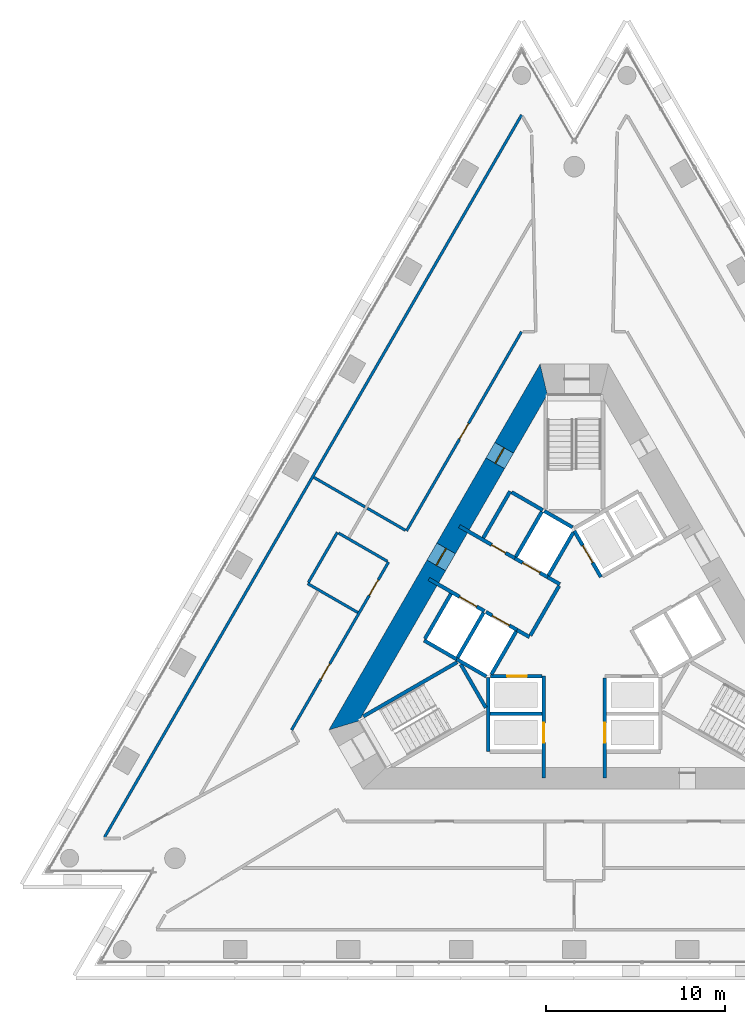
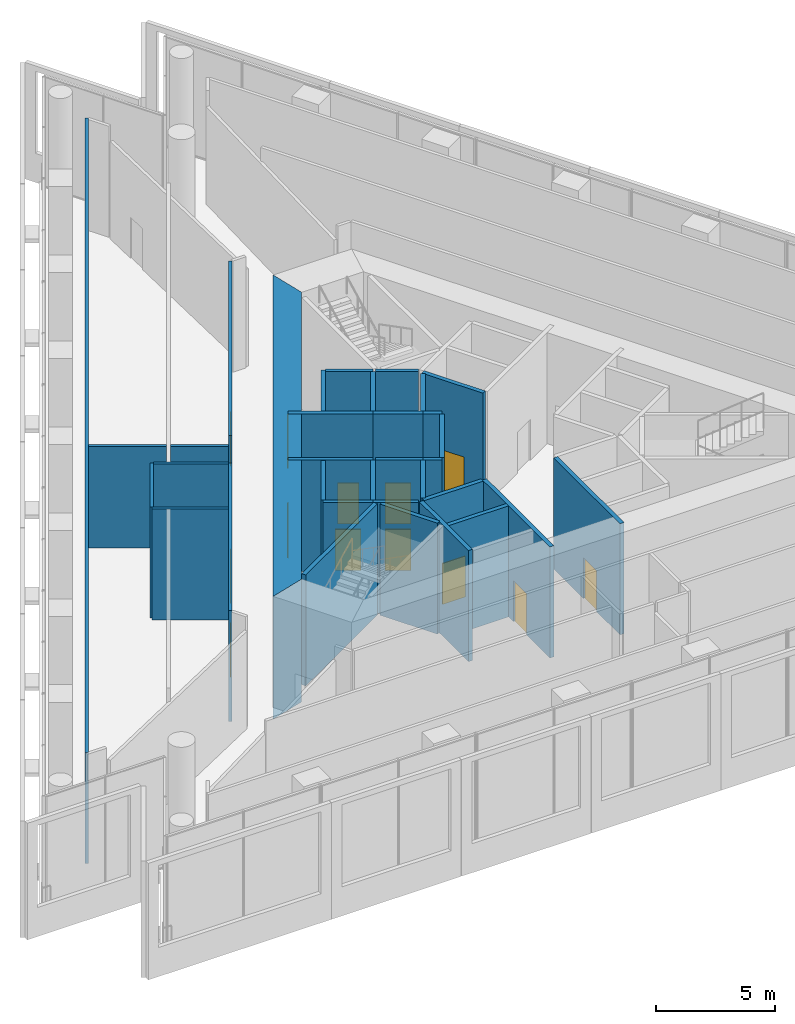
# One storey, part 11 of 18: 34 walls, 13 doors, 13 openings.
"""IFC4 building model written with IfcOpenShell, lengths in metres."""

from ifc_helpers import new_model, si_unit, direction, frame, frame_2d, origin, place, context, subcontext, project, spatial, polyline, rectangle, outline, extrude, material, layer, layer_set, type_object, element, fill, save


model = new_model("IFC4")

# Units and contexts
model_context = context("Model", 3, precision=1e-05, world=origin(), true_north=direction((0.0, 1.0)))
body_context = subcontext(model_context, "Body", "Model", "MODEL_VIEW")
ifc_project = project(units=[si_unit("LENGTHUNIT", "METRE"), si_unit("AREAUNIT", "SQUARE_METRE"), si_unit("VOLUMEUNIT", "CUBIC_METRE"), si_unit("PLANEANGLEUNIT", "RADIAN"), si_unit("MASSUNIT", "GRAM", prefix="KILO")], contexts=[model_context])

# Site, building, storey
site_placement = place(None, origin())
site = spatial("IfcSite", under=ifc_project, at=site_placement, CompositionType="ELEMENT")
building_placement = place(site_placement, origin())
building = spatial("IfcBuilding", under=site, at=building_placement, Name="Triada Interchange Tower", CompositionType="ELEMENT")
storey_placement = place(building_placement, frame((0.0, 0.0, 185.300048828125)))
storey = spatial("IfcBuildingStorey", under=building, at=storey_placement, Name="L43", CompositionType="ELEMENT", Elevation=185.300048828125)

# Walls
ifc_material_1 = material(Name="Concrete C30/37", Category="concrete")
ifc_layer_1 = layer(ifc_material_1, 0.199951171875)
ifc_layer_set_1 = layer_set([ifc_layer_1], Name="CORE WALL 200 EI 120")
wall_type_1 = type_object("IfcWallType", Name="CORE WALL 200 EI 120", PredefinedType="SOLIDWALL", material=ifc_layer_set_1)
wall_1_placement = place(storey_placement, frame((-8.3759765625, -0.70703125, 0.0), z_axis=(0.0, 0.0, 1.0), x_axis=(0.866067520717, -0.499927044236, 0.0)))
element("IfcWall", 1, at=wall_1_placement, inside=storey, type_object=wall_type_1, Name="Wall L43 44", PredefinedType="SOLIDWALL", context=body_context, shape_type="SweptSolid", body=[
    extrude(rectangle(XDim=2.100341796875, YDim=0.199951171875, at=frame_2d((1.05029296875, 0.0))), origin(), (0.0, 0.0, 1.0), 5.699951171875),
])
wall_2_placement = place(storey_placement, frame((-8.325927734375, -0.6201171875, 0.0), z_axis=(0.0, 0.0, 1.0), x_axis=(0.500023687443, 0.866011727401, 0.0)))
element("IfcWall", 2, at=wall_2_placement, inside=storey, type_object=wall_type_1, Name="Wall L43 45", PredefinedType="SOLIDWALL", context=body_context, shape_type="SweptSolid", body=[
    extrude(rectangle(XDim=2.899658203125, YDim=0.199951171875, at=frame_2d((1.44970703125, 0.0))), origin(), (0.0, 0.0, 1.0), 5.699951171875),
])
wall_3_placement = place(storey_placement, frame((-4.699951171875, -4.800048828125, 0.0), z_axis=(0.0, 0.0, 1.0), x_axis=(1.0, 0.0, 0.0)))
element("IfcWall", 3, at=wall_3_placement, inside=storey, type_object=wall_type_1, Name="Wall L43 46", PredefinedType="SOLIDWALL", context=body_context, shape_type="SweptSolid", body=[
    extrude(rectangle(XDim=2.89990234375, YDim=0.199951171875, at=frame_2d((1.449951171875, 0.0))), origin(), (0.0, 0.0, 1.0), 5.699951171875),
])
wall_4_placement = place(storey_placement, frame((-4.800048828125, -6.89990234375, 0.0), z_axis=(0.0, 0.0, 1.0), x_axis=(0.0, 1.0, 0.0)))
element("IfcWall", 4, at=wall_4_placement, inside=storey, type_object=wall_type_1, Name="Wall L43 48", PredefinedType="SOLIDWALL", context=body_context, shape_type="SweptSolid", body=[
    extrude(rectangle(XDim=4.130859375, YDim=0.199951171875, at=frame_2d((2.0654296875, 0.0))), origin(), (0.0, 0.0, 1.0), 5.699951171875),
])

# Wall, opening, door
wall_5_placement = place(storey_placement, frame((-1.699951171875, -8.3798828125, 0.0), z_axis=(0.0, 0.0, 1.0), x_axis=(0.0, 1.0, 0.0)))
wall_5 = element("IfcWall", 5, at=wall_5_placement, inside=storey, type_object=wall_type_1, Name="Wall L43 51", PredefinedType="SOLIDWALL", context=body_context, shape_type="SweptSolid", body=[
    extrude(rectangle(XDim=5.677001953125, YDim=0.199951171875, at=frame_2d((2.83837890625, 0.0))), origin(), (0.0, 0.0, 1.0), 5.699951171875),
])
opening_1_placement = place(wall_5_placement, frame((1.97998046875, 0.0, 0.0)))
opening_1 = element("IfcOpeningElement", 6, at=opening_1_placement, cuts=wall_5, Name="Opening LD-HR4", PredefinedType="OPENING", context=body_context, shape_type="SweptSolid", body=[
    extrude(rectangle(XDim=1.10009765625, YDim=2.10009765625, at=frame_2d((0.550048828125, 1.050048828125))), frame((0.0, 0.10986328125, 0.0), z_axis=(0.0, -1.0, 0.0), x_axis=(1.0, 0.0, 0.0)), (0.0, 0.0, 1.0), 0.219970703125),
])
ifc_material_2 = material(Name="Steel S235 door leaf", Category="steel")
door_type_1 = type_object("IfcDoorType", Name="LIFT LANDING DOOR 1100 EI 120", OperationType="SLIDING_TO_LEFT", PredefinedType="DOOR", material=ifc_material_2)
door_1_placement = place(opening_1_placement, origin())
door_1 = element("IfcDoor", 7, at=door_1_placement, inside=storey, type_object=door_type_1, Name="HR4 landing door L43", OperationType="SLIDING_TO_LEFT", OverallHeight=2.10009765625, OverallWidth=1.10009765625, PredefinedType="DOOR", context=body_context, shape_type="SweptSolid", body=[
    extrude(rectangle(XDim=1.10009765625, YDim=2.10009765625, at=frame_2d((0.550048828125, 1.050048828125))), frame((0.0, 0.02490234375, 0.0), z_axis=(0.0, -1.0, 0.0), x_axis=(1.0, 0.0, 0.0)), (0.0, 0.0, 1.0), 0.050048828125),
])
fill(opening_1, door_1)

wall_6_placement = place(storey_placement, frame((-4.676025390625, -2.699951171875, 0.0), z_axis=(0.0, 0.0, 1.0), x_axis=(1.0, 0.0, 0.0)))
wall_6 = element("IfcWall", 8, at=wall_6_placement, inside=storey, type_object=wall_type_1, Name="Wall L43 52", PredefinedType="SOLIDWALL", context=body_context, shape_type="SweptSolid", body=[
    extrude(rectangle(XDim=2.873046875, YDim=0.199951171875, at=frame_2d((1.4365234375, 0.0))), origin(), (0.0, 0.0, 1.0), 5.699951171875),
])
opening_2_placement = place(wall_6_placement, frame((0.93701171875, 0.0, 0.0)))
opening_2 = element("IfcOpeningElement", 9, at=opening_2_placement, cuts=wall_6, Name="Opening LD-HR3", PredefinedType="OPENING", context=body_context, shape_type="SweptSolid", body=[
    extrude(rectangle(XDim=1.10009765625, YDim=2.10009765625, at=frame_2d((0.550048828125, 1.050048828125))), frame((0.0, 0.10986328125, 0.0), z_axis=(0.0, -1.0, 0.0), x_axis=(1.0, 0.0, 0.0)), (0.0, 0.0, 1.0), 0.219970703125),
])
door_2_placement = place(opening_2_placement, origin())
door_2 = element("IfcDoor", 10, at=door_2_placement, inside=storey, type_object=door_type_1, Name="HR3 landing door L43", OperationType="SLIDING_TO_LEFT", OverallHeight=2.10009765625, OverallWidth=1.10009765625, PredefinedType="DOOR", context=body_context, shape_type="SweptSolid", body=[
    extrude(rectangle(XDim=1.10009765625, YDim=2.10009765625, at=frame_2d((0.550048828125, 1.050048828125))), frame((0.0, 0.02490234375, 0.0), z_axis=(0.0, -1.0, 0.0), x_axis=(1.0, 0.0, 0.0)), (0.0, 0.0, 1.0), 0.050048828125),
])
fill(opening_2, door_2)

wall_7_placement = place(storey_placement, frame((0.0, 5.39990234375, 0.0), z_axis=(0.0, 0.0, 1.0), x_axis=(0.500103862429, -0.865965430478, 0.0)))
wall_7 = element("IfcWall", 11, at=wall_7_placement, inside=storey, type_object=wall_type_1, Name="Wall L43 55", PredefinedType="SOLIDWALL", context=body_context, shape_type="SweptSolid", body=[
    extrude(rectangle(XDim=2.973388671875, YDim=0.199951171875, at=frame_2d((1.48681640625, 0.0))), origin(), (0.0, 0.0, 1.0), 5.699951171875),
])
opening_3_placement = place(wall_7_placement, frame((0.93701171875, 0.0, 0.0)))
opening_3 = element("IfcOpeningElement", 12, at=opening_3_placement, cuts=wall_7, Name="Opening LD-HR5", PredefinedType="OPENING", context=body_context, shape_type="SweptSolid", body=[
    extrude(rectangle(XDim=1.10009765625, YDim=2.10009765625, at=frame_2d((0.550048828125, 1.050048828125))), frame((0.0, 0.10986328125, 0.0), z_axis=(0.0, -1.0, 0.0), x_axis=(1.0, 0.0, 0.0)), (0.0, 0.0, 1.0), 0.219970703125),
])
door_3_placement = place(opening_3_placement, origin())
door_3 = element("IfcDoor", 13, at=door_3_placement, inside=storey, type_object=door_type_1, Name="HR5 landing door L43", OperationType="SLIDING_TO_LEFT", OverallHeight=2.10009765625, OverallWidth=1.10009765625, PredefinedType="DOOR", context=body_context, shape_type="SweptSolid", body=[
    extrude(rectangle(XDim=1.10009765625, YDim=2.10009765625, at=frame_2d((0.550048828125, 1.050048828125))), frame((0.0, 0.02490234375, 0.0), z_axis=(0.0, -1.0, 0.0), x_axis=(1.0, 0.0, 0.0)), (0.0, 0.0, 1.0), 0.050048828125),
])
fill(opening_3, door_3)

wall_8_placement = place(storey_placement, frame((1.699951171875, -8.3798828125, 0.0), z_axis=(0.0, 0.0, 1.0), x_axis=(0.0, 1.0, 0.0)))
wall_8 = element("IfcWall", 14, at=wall_8_placement, inside=storey, type_object=wall_type_1, Name="Wall L43 58", PredefinedType="SOLIDWALL", context=body_context, shape_type="SweptSolid", body=[
    extrude(rectangle(XDim=5.576904296875, YDim=0.199951171875, at=frame_2d((2.78857421875, 0.0))), origin(), (0.0, 0.0, 1.0), 5.699951171875),
])
opening_4_placement = place(wall_8_placement, frame((1.97998046875, 0.0, 0.0)))
opening_4 = element("IfcOpeningElement", 15, at=opening_4_placement, cuts=wall_8, Name="Opening LD-HR2", PredefinedType="OPENING", context=body_context, shape_type="SweptSolid", body=[
    extrude(rectangle(XDim=1.10009765625, YDim=2.10009765625, at=frame_2d((0.550048828125, 1.050048828125))), frame((0.0, 0.10986328125, 0.0), z_axis=(0.0, -1.0, 0.0), x_axis=(1.0, 0.0, 0.0)), (0.0, 0.0, 1.0), 0.219970703125),
])
door_4_placement = place(opening_4_placement, origin())
door_4 = element("IfcDoor", 16, at=door_4_placement, inside=storey, type_object=door_type_1, Name="HR2 landing door L43", OperationType="SLIDING_TO_LEFT", OverallHeight=2.10009765625, OverallWidth=1.10009765625, PredefinedType="DOOR", context=body_context, shape_type="SweptSolid", body=[
    extrude(rectangle(XDim=1.10009765625, YDim=2.10009765625, at=frame_2d((0.550048828125, 1.050048828125))), frame((0.0, 0.02490234375, 0.0), z_axis=(0.0, -1.0, 0.0), x_axis=(1.0, 0.0, 0.0)), (0.0, 0.0, 1.0), 0.050048828125),
])
fill(opening_4, door_4)

ifc_layer_2 = layer(ifc_material_1, 0.199951171875)
ifc_layer_set_2 = layer_set([ifc_layer_2], Name="CORE WALL 200 EI 180")
wall_type_2 = type_object("IfcWallType", Name="CORE WALL 200 EI 180", PredefinedType="SOLIDWALL", material=ifc_layer_set_2)
wall_9_placement = place(storey_placement, frame((-8.10693359375, 2.718017578125, 0.0), z_axis=(0.0, 0.0, 1.0), x_axis=(0.866019870564, -0.500009583697, 0.0)))
wall_9 = element("IfcWall", 17, at=wall_9_placement, inside=storey, type_object=wall_type_2, Name="Wall L43 66", PredefinedType="SOLIDWALL", context=body_context, shape_type="SweptSolid", body=[
    extrude(rectangle(XDim=3.58203125, YDim=0.199951171875, at=frame_2d((1.791015625, 0.0))), origin(), (0.0, 0.0, 1.0), 5.699951171875),
])
opening_5_placement = place(wall_9_placement, frame((1.97998046875, 0.0, 0.0)))
opening_5 = element("IfcOpeningElement", 18, at=opening_5_placement, cuts=wall_9, Name="Opening LD-SV1", PredefinedType="OPENING", context=body_context, shape_type="SweptSolid", body=[
    extrude(rectangle(XDim=1.10009765625, YDim=2.10009765625, at=frame_2d((0.550048828125, 1.050048828125))), frame((0.0, 0.10986328125, 0.0), z_axis=(0.0, -1.0, 0.0), x_axis=(1.0, 0.0, 0.0)), (0.0, 0.0, 1.0), 0.219970703125),
])
door_5_placement = place(opening_5_placement, origin())
door_5 = element("IfcDoor", 19, at=door_5_placement, inside=storey, type_object=door_type_1, Name="SV1 landing door L43", OperationType="SLIDING_TO_LEFT", OverallHeight=2.10009765625, OverallWidth=1.10009765625, PredefinedType="DOOR", context=body_context, shape_type="SweptSolid", body=[
    extrude(rectangle(XDim=1.10009765625, YDim=2.10009765625, at=frame_2d((0.550048828125, 1.050048828125))), frame((0.0, 0.02490234375, 0.0), z_axis=(0.0, -1.0, 0.0), x_axis=(1.0, 0.0, 0.0)), (0.0, 0.0, 1.0), 0.050048828125),
])
fill(opening_5, door_5)

# Wall
wall_10_placement = place(storey_placement, frame((-3.18798828125, -0.1220703125, 0.0), z_axis=(0.0, 0.0, 1.0), x_axis=(0.865705793592, -0.50055317294, 0.0)))
element("IfcWall", 20, at=wall_10_placement, inside=storey, type_object=wall_type_2, Name="Wall L43 67", PredefinedType="SOLIDWALL", context=body_context, shape_type="SweptSolid", body=[
    extrude(rectangle(XDim=0.796875, YDim=0.199951171875, at=frame_2d((0.3984375, 0.0))), origin(), (0.0, 0.0, 1.0), 5.699951171875),
])

# Wall, opening, door
wall_11_placement = place(storey_placement, frame((-6.406982421875, 5.662109375, 0.0), z_axis=(0.0, 0.0, 1.0), x_axis=(0.866019870564, -0.500009583697, 0.0)))
wall_11 = element("IfcWall", 21, at=wall_11_placement, inside=storey, type_object=wall_type_2, Name="Wall L43 68", PredefinedType="SOLIDWALL", context=body_context, shape_type="SweptSolid", body=[
    extrude(rectangle(XDim=3.58203125, YDim=0.199951171875, at=frame_2d((1.791015625, 0.0))), origin(), (0.0, 0.0, 1.0), 5.699951171875),
])
opening_6_placement = place(wall_11_placement, frame((2.080078125, 0.0, 0.0)))
opening_6 = element("IfcOpeningElement", 22, at=opening_6_placement, cuts=wall_11, Name="Opening D43-12", PredefinedType="OPENING", context=body_context, shape_type="SweptSolid", body=[
    extrude(rectangle(XDim=0.89990234375, YDim=2.10009765625, at=frame_2d((0.449951171875, 1.050048828125))), frame((0.0, 0.10986328125, 0.0), z_axis=(0.0, -1.0, 0.0), x_axis=(1.0, 0.0, 0.0)), (0.0, 0.0, 1.0), 0.219970703125),
])
door_type_2 = type_object("IfcDoorType", Name="SERVICE DOOR 900 EI2 90-C5S200", OperationType="NOTDEFINED", PredefinedType="DOOR", material=ifc_material_2)
door_6_placement = place(opening_6_placement, origin())
door_6 = element("IfcDoor", 23, at=door_6_placement, inside=storey, type_object=door_type_2, Name="Door D43-12 L43", OperationType="SINGLE_SWING_LEFT", OverallHeight=2.10009765625, OverallWidth=0.89990234375, PredefinedType="DOOR", context=body_context, shape_type="SweptSolid", body=[
    extrude(rectangle(XDim=0.89990234375, YDim=2.10009765625, at=frame_2d((0.449951171875, 1.050048828125))), frame((0.0, 0.02490234375, 0.0), z_axis=(0.0, -1.0, 0.0), x_axis=(1.0, 0.0, 0.0)), (0.0, 0.0, 1.0), 0.050048828125),
])
fill(opening_6, door_6)

# Walls
wall_12_placement = place(storey_placement, frame((-1.488037109375, 2.822021484375, 0.0), z_axis=(0.0, 0.0, 1.0), x_axis=(0.866236612152, -0.499633997809, 0.0)))
element("IfcWall", 24, at=wall_12_placement, inside=storey, type_object=wall_type_2, Name="Wall L43 69", PredefinedType="SOLIDWALL", context=body_context, shape_type="SweptSolid", body=[
    extrude(rectangle(XDim=0.79638671875, YDim=0.199951171875, at=frame_2d((0.398193359375, 0.0))), origin(), (0.0, 0.0, 1.0), 5.699951171875),
])
wall_13_placement = place(storey_placement, frame((-5.075927734375, 5.009033203125, 0.0), z_axis=(0.0, 0.0, 1.0), x_axis=(0.50002537861, 0.866010750942, 0.0)))
element("IfcWall", 25, at=wall_13_placement, inside=storey, type_object=wall_type_2, Name="Wall L43 70", PredefinedType="SOLIDWALL", context=body_context, shape_type="SweptSolid", body=[
    extrude(rectangle(XDim=2.999755859375, YDim=0.199951171875, at=frame_2d((1.5, 0.0))), origin(), (0.0, 0.0, 1.0), 5.699951171875),
])
wall_14_placement = place(storey_placement, frame((-3.489013671875, 7.556884765625, 0.0), z_axis=(0.0, 0.0, 1.0), x_axis=(0.866010750942, -0.50002537861, 0.0)))
element("IfcWall", 26, at=wall_14_placement, inside=storey, type_object=wall_type_2, Name="Wall L43 71", PredefinedType="SOLIDWALL", context=body_context, shape_type="SweptSolid", body=[
    extrude(rectangle(XDim=2.0, YDim=0.199951171875, at=frame_2d((1.0, 0.0))), origin(), (0.0, 0.0, 1.0), 5.699951171875),
])
wall_15_placement = place(storey_placement, frame((-2.444091796875, -0.43310546875, 0.0), z_axis=(0.0, 0.0, 1.0), x_axis=(0.500035624827, 0.866004834804, 0.0)))
element("IfcWall", 27, at=wall_15_placement, inside=storey, type_object=wall_type_2, Name="Wall L43 72", PredefinedType="SOLIDWALL", context=body_context, shape_type="SweptSolid", body=[
    extrude(rectangle(XDim=3.194091796875, YDim=0.199951171875, at=frame_2d((1.59716796875, 0.0))), origin(), (0.0, 0.0, 1.0), 5.699951171875),
])
wall_16_placement = place(storey_placement, frame((-6.556884765625, -1.757080078125, 0.0), z_axis=(0.0, 0.0, 1.0), x_axis=(0.8659754619, -0.500086491905, 0.0)))
element("IfcWall", 28, at=wall_16_placement, inside=storey, type_object=wall_type_2, Name="Shaft wall FF1 L43 73", PredefinedType="SOLIDWALL", context=body_context, shape_type="SweptSolid", body=[
    extrude(rectangle(XDim=1.915771484375, YDim=0.199951171875, at=frame_2d((0.9580078125, 0.0))), origin(), (0.0, 0.0, 1.0), 5.699951171875),
])
wall_17_placement = place(storey_placement, frame((-6.507080078125, -1.669921875, 0.0), z_axis=(0.0, 0.0, 1.0), x_axis=(0.50012328804, 0.865954211699, 0.0)))
element("IfcWall", 29, at=wall_17_placement, inside=storey, type_object=wall_type_2, Name="Shaft wall FF1 L43 74", PredefinedType="SOLIDWALL", context=body_context, shape_type="SweptSolid", body=[
    extrude(rectangle(XDim=2.899658203125, YDim=0.199951171875, at=frame_2d((1.44970703125, 0.0))), origin(), (0.0, 0.0, 1.0), 5.699951171875),
])

# Wall, opening, door
wall_18_placement = place(storey_placement, frame((-4.919921875, 0.8779296875, 0.0), z_axis=(0.0, 0.0, 1.0), x_axis=(0.866010750942, -0.50002537861, 0.0)))
wall_18 = element("IfcWall", 30, at=wall_18_placement, inside=storey, type_object=wall_type_2, Name="Shaft wall FF1 L43 75", PredefinedType="SOLIDWALL", context=body_context, shape_type="SweptSolid", body=[
    extrude(rectangle(XDim=2.0, YDim=0.199951171875, at=frame_2d((1.0, 0.0))), origin(), (0.0, 0.0, 1.0), 5.699951171875),
])
opening_7_placement = place(wall_18_placement, frame((0.39990234375, 0.0, 0.0)))
opening_7 = element("IfcOpeningElement", 31, at=opening_7_placement, cuts=wall_18, Name="Opening LD-FF1", PredefinedType="OPENING", context=body_context, shape_type="SweptSolid", body=[
    extrude(rectangle(XDim=1.10009765625, YDim=2.10009765625, at=frame_2d((0.550048828125, 1.050048828125))), frame((0.0, 0.10986328125, 0.0), z_axis=(0.0, -1.0, 0.0), x_axis=(1.0, 0.0, 0.0)), (0.0, 0.0, 1.0), 0.219970703125),
])
door_7_placement = place(opening_7_placement, origin())
door_7 = element("IfcDoor", 32, at=door_7_placement, inside=storey, type_object=door_type_1, Name="FF1 landing door L43", OperationType="SLIDING_TO_LEFT", OverallHeight=2.10009765625, OverallWidth=1.10009765625, PredefinedType="DOOR", context=body_context, shape_type="SweptSolid", body=[
    extrude(rectangle(XDim=1.10009765625, YDim=2.10009765625, at=frame_2d((0.550048828125, 1.050048828125))), frame((0.0, 0.02490234375, 0.0), z_axis=(0.0, -1.0, 0.0), x_axis=(1.0, 0.0, 0.0)), (0.0, 0.0, 1.0), 0.050048828125),
])
fill(opening_7, door_7)

# Wall
wall_19_placement = place(storey_placement, frame((-4.618896484375, -2.60009765625, 0.0), z_axis=(0.0, 0.0, 1.0), x_axis=(0.50009492287, 0.865970593103, 0.0)))
element("IfcWall", 33, at=wall_19_placement, inside=storey, type_object=wall_type_2, Name="Shaft wall FF1 L43 76", PredefinedType="SOLIDWALL", context=body_context, shape_type="SweptSolid", body=[
    extrude(rectangle(XDim=2.76123046875, YDim=0.199951171875, at=frame_2d((1.380615234375, 0.0))), origin(), (0.0, 0.0, 1.0), 5.699951171875),
])

# Wall, opening, door
wall_20_placement = place(storey_placement, frame((-3.30908203125, 3.873046875, 0.0), z_axis=(0.0, 0.0, 1.0), x_axis=(0.866098583652, -0.499873227325, 0.0)))
wall_20 = element("IfcWall", 34, at=wall_20_placement, inside=storey, type_object=wall_type_2, Name="Shaft wall FF2 L43 77", PredefinedType="SOLIDWALL", context=body_context, shape_type="SweptSolid", body=[
    extrude(rectangle(XDim=2.1025390625, YDim=0.199951171875, at=frame_2d((1.05126953125, 0.0))), origin(), (0.0, 0.0, 1.0), 5.699951171875),
])
opening_8_placement = place(wall_20_placement, frame((0.501953125, 0.0, 0.0)))
opening_8 = element("IfcOpeningElement", 35, at=opening_8_placement, cuts=wall_20, Name="Opening LD-FF2", PredefinedType="OPENING", context=body_context, shape_type="SweptSolid", body=[
    extrude(rectangle(XDim=1.10009765625, YDim=2.10009765625, at=frame_2d((0.550048828125, 1.050048828125))), frame((0.0, 0.10986328125, 0.0), z_axis=(0.0, -1.0, 0.0), x_axis=(1.0, 0.0, 0.0)), (0.0, 0.0, 1.0), 0.219970703125),
])
door_8_placement = place(opening_8_placement, origin())
door_8 = element("IfcDoor", 36, at=door_8_placement, inside=storey, type_object=door_type_1, Name="FF2 landing door L43", OperationType="SLIDING_TO_LEFT", OverallHeight=2.10009765625, OverallWidth=1.10009765625, PredefinedType="DOOR", context=body_context, shape_type="SweptSolid", body=[
    extrude(rectangle(XDim=1.10009765625, YDim=2.10009765625, at=frame_2d((0.550048828125, 1.050048828125))), frame((0.0, 0.02490234375, 0.0), z_axis=(0.0, -1.0, 0.0), x_axis=(1.0, 0.0, 0.0)), (0.0, 0.0, 1.0), 0.050048828125),
])
fill(opening_8, door_8)

# Walls
wall_21_placement = place(storey_placement, frame((-3.257080078125, 3.958984375, 0.0), z_axis=(0.0, 0.0, 1.0), x_axis=(0.50012328804, 0.865954211699, 0.0)))
element("IfcWall", 37, at=wall_21_placement, inside=storey, type_object=wall_type_2, Name="Shaft wall FF2 L43 78", PredefinedType="SOLIDWALL", context=body_context, shape_type="SweptSolid", body=[
    extrude(rectangle(XDim=2.899658203125, YDim=0.199951171875, at=frame_2d((1.44970703125, 0.0))), origin(), (0.0, 0.0, 1.0), 5.699951171875),
])
wall_22_placement = place(storey_placement, frame((-1.669921875, 6.507080078125, 0.0), z_axis=(0.0, 0.0, 1.0), x_axis=(0.865941441609, -0.500145398563, 0.0)))
element("IfcWall", 38, at=wall_22_placement, inside=storey, type_object=wall_type_2, Name="Shaft wall FF2 L43 79", PredefinedType="SOLIDWALL", context=body_context, shape_type="SweptSolid", body=[
    extrude(rectangle(XDim=1.8154296875, YDim=0.199951171875, at=frame_2d((0.90771484375, 0.0))), origin(), (0.0, 0.0, 1.0), 5.699951171875),
])
wall_23_placement = place(storey_placement, frame((-1.43798828125, 2.908935546875, 0.0), z_axis=(0.0, 0.0, 1.0), x_axis=(0.499829630636, 0.866123744241, 0.0)))
element("IfcWall", 39, at=wall_23_placement, inside=storey, type_object=wall_type_2, Name="Shaft wall FF2 L43 80", PredefinedType="SOLIDWALL", context=body_context, shape_type="SweptSolid", body=[
    extrude(rectangle(XDim=2.7607421875, YDim=0.199951171875, at=frame_2d((1.38037109375, 0.0))), origin(), (0.0, 0.0, 1.0), 5.699951171875),
])
ifc_layer_3 = layer(ifc_material_1, 0.199951171875)
ifc_layer_set_3 = layer_set([ifc_layer_3], Name="CORE WALL 200 REI 240")
wall_type_3 = type_object("IfcWallType", Name="CORE WALL 200 REI 240", PredefinedType="SOLIDWALL", material=ifc_layer_set_3)
wall_24_placement = place(storey_placement, frame((-11.760009765625, -4.94189453125, 0.0), z_axis=(0.0, 0.0, 1.0), x_axis=(0.866048276411, 0.499960381356, 0.0)))
element("IfcWall", 40, at=wall_24_placement, inside=storey, type_object=wall_type_3, Name="Wall L43 81", PredefinedType="SOLIDWALL", context=body_context, shape_type="SweptSolid", body=[
    extrude(rectangle(XDim=6.0400390625, YDim=0.199951171875, at=frame_2d((3.02001953125, 0.0))), origin(), (0.0, 0.0, 1.0), 5.699951171875),
])
wall_25_placement = place(storey_placement, frame((-6.3291015625, -2.0380859375, 0.0), z_axis=(0.0, 0.0, 1.0), x_axis=(0.500200581029, -0.865909567298, 0.0)))
element("IfcWall", 41, at=wall_25_placement, inside=storey, type_object=wall_type_3, Name="Wall L43 82", PredefinedType="SOLIDWALL", context=body_context, shape_type="SweptSolid", body=[
    extrude(rectangle(XDim=2.799072265625, YDim=0.199951171875, at=frame_2d((1.3994140625, 0.0))), origin(), (0.0, 0.0, 1.0), 5.699951171875),
])

# Wall, openings, doors
ifc_material_3 = material(Name="Concrete C60/75", Category="concrete")
ifc_layer_4 = layer(ifc_material_3, 1.199951171875)
ifc_layer_set_4 = layer_set([ifc_layer_4], Name="Core wall B 1200")
wall_type_4 = type_object("IfcWallType", Name="Core wall B 1200", PredefinedType="SHEAR", material=ifc_layer_set_4)
wall_26_placement = place(storey_placement, frame((-1.702880859375, 13.85009765625, -0.60009765625), z_axis=(0.0, 0.0, 1.0), x_axis=(-0.500005991004, -0.866021944849, 0.0)))
wall_26 = element("IfcWall", 42, at=wall_26_placement, inside=storey, type_object=wall_type_4, Name="Core wall WB08 L43", PredefinedType="SHEAR", context=body_context, shape_type="SweptSolid", body=[
    extrude(outline(polyline([(-0.635009765625, -0.60009765625), (1.327880859375, -0.60009765625), (3.291015625, -0.60009765625), (5.25390625, -0.60009765625), (7.217041015625, -0.60009765625), (9.179931640625, -0.60009765625), (11.14306640625, -0.60009765625), (13.10595703125, -0.60009765625), (15.06884765625, -0.60009765625), (17.031982421875, -0.60009765625), (18.994873046875, -0.60009765625), (20.9580078125, -0.60009765625), (22.9208984375, -0.60009765625), (21.65087890625, 0.60009765625), (19.740234375, 0.60009765625), (17.829833984375, 0.60009765625), (15.919189453125, 0.60009765625), (14.0087890625, 0.60009765625), (12.09814453125, 0.60009765625), (10.187744140625, 0.60009765625), (8.277099609375, 0.60009765625), (6.36669921875, 0.60009765625), (4.4560546875, 0.60009765625), (2.545654296875, 0.60009765625), (0.635009765625, 0.60009765625), (-0.635009765625, -0.60009765625)])), origin(), (0.0, 0.0, 1.0), 6.300048828125),
])
opening_9_placement = place(wall_26_placement, frame((10.881103515625, 0.0, 0.60009765625)))
opening_9 = element("IfcOpeningElement", 43, at=opening_9_placement, cuts=wall_26, Name="Opening D43-29", PredefinedType="OPENING", context=body_context, shape_type="SweptSolid", body=[
    extrude(rectangle(XDim=1.10009765625, YDim=2.10009765625, at=frame_2d((0.550048828125, 1.050048828125))), frame((0.0, 0.610107421875, 0.0), z_axis=(0.0, -1.0, 0.0), x_axis=(1.0, 0.0, 0.0)), (0.0, 0.0, 1.0), 1.22021484375),
])
opening_10_placement = place(wall_26_placement, frame((4.406982421875, 0.0, 0.60009765625)))
opening_10 = element("IfcOpeningElement", 44, at=opening_10_placement, cuts=wall_26, Name="Opening D43-31", PredefinedType="OPENING", context=body_context, shape_type="SweptSolid", body=[
    extrude(rectangle(XDim=1.0, YDim=2.10009765625, at=frame_2d((0.5, 1.050048828125))), frame((0.0, 0.610107421875, 0.0), z_axis=(0.0, -1.0, 0.0), x_axis=(1.0, 0.0, 0.0)), (0.0, 0.0, 1.0), 1.22021484375),
])
door_type_3 = type_object("IfcDoorType", Name="FIRE LOBBY DOOR 1100 EI2 90-C5S200", OperationType="NOTDEFINED", PredefinedType="DOOR", material=ifc_material_2)
door_9_placement = place(opening_9_placement, origin())
door_9 = element("IfcDoor", 45, at=door_9_placement, inside=storey, type_object=door_type_3, Name="Door D43-29 L43", OperationType="SINGLE_SWING_LEFT", OverallHeight=2.10009765625, OverallWidth=1.10009765625, PredefinedType="DOOR", context=body_context, shape_type="SweptSolid", body=[
    extrude(rectangle(XDim=1.10009765625, YDim=2.10009765625, at=frame_2d((0.550048828125, 1.050048828125))), frame((0.0, 0.02490234375, 0.0), z_axis=(0.0, -1.0, 0.0), x_axis=(1.0, 0.0, 0.0)), (0.0, 0.0, 1.0), 0.050048828125),
])
fill(opening_9, door_9)
door_type_4 = type_object("IfcDoorType", Name="SERVICE DOOR 1000 EI2 45-C5S200", OperationType="NOTDEFINED", PredefinedType="DOOR", material=ifc_material_2)
door_10_placement = place(opening_10_placement, origin())
door_10 = element("IfcDoor", 46, at=door_10_placement, inside=storey, type_object=door_type_4, Name="Door D43-31 L43", OperationType="SINGLE_SWING_LEFT", OverallHeight=2.10009765625, OverallWidth=1.0, PredefinedType="DOOR", context=body_context, shape_type="SweptSolid", body=[
    extrude(rectangle(XDim=1.0, YDim=2.10009765625, at=frame_2d((0.5, 1.050048828125))), frame((0.0, 0.02490234375, 0.0), z_axis=(0.0, -1.0, 0.0), x_axis=(1.0, 0.0, 0.0)), (0.0, 0.0, 1.0), 0.050048828125),
])
fill(opening_10, door_10)

# Walls
ifc_material_4 = material(Name="Gypsum board partition")
ifc_layer_5 = layer(ifc_material_4, 0.14990234375)
ifc_layer_set_5 = layer_set([ifc_layer_5], Name="PARTITION 150")
wall_type_5 = type_object("IfcWallType", Name="PARTITION 150", PredefinedType="PARTITIONING", material=ifc_layer_set_5)
wall_27_placement = place(storey_placement, frame((-14.861083984375, 2.4599609375, 0.0), z_axis=(0.0, 0.0, 1.0), x_axis=(0.866087259513, -0.499892847427, 0.0)))
element("IfcWall", 47, at=wall_27_placement, inside=storey, type_object=wall_type_5, Name="Wall L43 35", PredefinedType="PARTITIONING", context=body_context, shape_type="SweptSolid", body=[
    extrude(rectangle(XDim=3.224853515625, YDim=0.14990234375, at=frame_2d((1.6123046875, 0.0))), origin(), (0.0, 0.0, 1.0), 5.699951171875),
])
wall_28_placement = place(storey_placement, frame((-14.822998046875, 2.52490234375, 0.0), z_axis=(0.0, 0.0, 1.0), x_axis=(0.499860071841, 0.866106176273, 0.0)))
element("IfcWall", 48, at=wall_28_placement, inside=storey, type_object=wall_type_5, Name="Wall L43 36", PredefinedType="PARTITIONING", context=body_context, shape_type="SweptSolid", body=[
    extrude(rectangle(XDim=3.22509765625, YDim=0.14990234375, at=frame_2d((1.612548828125, 0.0))), origin(), (0.0, 0.0, 1.0), 5.699951171875),
])

# Wall, openings, doors
ifc_layer_6 = layer(ifc_material_4, 0.14990234375)
ifc_layer_set_6 = layer_set([ifc_layer_6], Name="PARTITION 150 EI 90")
wall_type_6 = type_object("IfcWallType", Name="PARTITION 150 EI 90", PredefinedType="PARTITIONING", material=ifc_layer_set_6)
wall_29_placement = place(storey_placement, frame((-15.761962890625, -5.699951171875, 0.0), z_axis=(0.0, 0.0, 1.0), x_axis=(0.500025268852, 0.866010814314, 0.0)))
wall_29 = element("IfcWall", 49, at=wall_29_placement, inside=storey, type_object=wall_type_6, Name="Wall L43 17", PredefinedType="PARTITIONING", context=body_context, shape_type="SweptSolid", body=[
    extrude(rectangle(XDim=10.8173828125, YDim=0.14990234375, at=frame_2d((5.40869140625, 0.0))), origin(), (0.0, 0.0, 1.0), 5.699951171875),
])
opening_11_placement = place(wall_29_placement, frame((8.6669921875, 0.0, 0.0)))
opening_11 = element("IfcOpeningElement", 50, at=opening_11_placement, cuts=wall_29, Name="Opening D43-14", PredefinedType="OPENING", context=body_context, shape_type="SweptSolid", body=[
    extrude(rectangle(XDim=1.0, YDim=2.10009765625, at=frame_2d((0.5, 1.050048828125))), frame((0.0, 0.0849609375, 0.0), z_axis=(0.0, -1.0, 0.0), x_axis=(1.0, 0.0, 0.0)), (0.0, 0.0, 1.0), 0.169921875),
])
opening_12_placement = place(wall_29_placement, frame((3.259033203125, 0.0, 0.0)))
opening_12 = element("IfcOpeningElement", 51, at=opening_12_placement, cuts=wall_29, Name="Opening D43-22", PredefinedType="OPENING", context=body_context, shape_type="SweptSolid", body=[
    extrude(rectangle(XDim=1.0, YDim=2.10009765625, at=frame_2d((0.5, 1.050048828125))), frame((0.0, 0.0849609375, 0.0), z_axis=(0.0, -1.0, 0.0), x_axis=(1.0, 0.0, 0.0)), (0.0, 0.0, 1.0), 0.169921875),
])
door_type_5 = type_object("IfcDoorType", Name="ROOM DOOR 1000 EI2 45-C5S200", OperationType="NOTDEFINED", PredefinedType="DOOR", material=ifc_material_2)
door_11_placement = place(opening_11_placement, origin())
door_11 = element("IfcDoor", 52, at=door_11_placement, inside=storey, type_object=door_type_5, Name="Door D43-14 L43", OperationType="SINGLE_SWING_LEFT", OverallHeight=2.10009765625, OverallWidth=1.0, PredefinedType="DOOR", context=body_context, shape_type="SweptSolid", body=[
    extrude(rectangle(XDim=1.0, YDim=2.10009765625, at=frame_2d((0.5, 1.050048828125))), frame((0.0, 0.02490234375, 0.0), z_axis=(0.0, -1.0, 0.0), x_axis=(1.0, 0.0, 0.0)), (0.0, 0.0, 1.0), 0.050048828125),
])
fill(opening_11, door_11)
door_type_6 = type_object("IfcDoorType", Name="ROOM DOOR 1000 EI2 90-C5S200", OperationType="NOTDEFINED", PredefinedType="DOOR", material=ifc_material_2)
door_12_placement = place(opening_12_placement, origin())
door_12 = element("IfcDoor", 53, at=door_12_placement, inside=storey, type_object=door_type_6, Name="Door D43-22 L43", OperationType="SINGLE_SWING_LEFT", OverallHeight=2.10009765625, OverallWidth=1.0, PredefinedType="DOOR", context=body_context, shape_type="SweptSolid", body=[
    extrude(rectangle(XDim=1.0, YDim=2.10009765625, at=frame_2d((0.5, 1.050048828125))), frame((0.0, 0.02490234375, 0.0), z_axis=(0.0, -1.0, 0.0), x_axis=(1.0, 0.0, 0.0)), (0.0, 0.0, 1.0), 0.050048828125),
])
fill(opening_12, door_12)

# Wall, opening, door
wall_30_placement = place(storey_placement, frame((-9.35302734375, 5.39990234375, 0.0), z_axis=(0.0, 0.0, 1.0), x_axis=(0.500017037849, 0.866015566754, 0.0)))
wall_30 = element("IfcWall", 54, at=wall_30_placement, inside=storey, type_object=wall_type_6, Name="Wall L43 18", PredefinedType="PARTITIONING", context=body_context, shape_type="SweptSolid", body=[
    extrude(rectangle(XDim=12.8173828125, YDim=0.14990234375, at=frame_2d((6.40869140625, 0.0))), origin(), (0.0, 0.0, 1.0), 5.699951171875),
])
opening_13_placement = place(wall_30_placement, frame((5.908935546875, 0.0, 0.0)))
opening_13 = element("IfcOpeningElement", 55, at=opening_13_placement, cuts=wall_30, Name="Opening D43-21", PredefinedType="OPENING", context=body_context, shape_type="SweptSolid", body=[
    extrude(rectangle(XDim=1.0, YDim=2.10009765625, at=frame_2d((0.5, 1.050048828125))), frame((0.0, 0.0849609375, 0.0), z_axis=(0.0, -1.0, 0.0), x_axis=(1.0, 0.0, 0.0)), (0.0, 0.0, 1.0), 0.169921875),
])
door_13_placement = place(opening_13_placement, origin())
door_13 = element("IfcDoor", 56, at=door_13_placement, inside=storey, type_object=door_type_5, Name="Door D43-21 L43", OperationType="SINGLE_SWING_RIGHT", OverallHeight=2.10009765625, OverallWidth=1.0, PredefinedType="DOOR", context=body_context, shape_type="SweptSolid", body=[
    extrude(rectangle(XDim=1.0, YDim=2.10009765625, at=frame_2d((0.5, 1.050048828125))), frame((0.0, 0.02490234375, 0.0), z_axis=(0.0, -1.0, 0.0), x_axis=(1.0, 0.0, 0.0)), (0.0, 0.0, 1.0), 0.050048828125),
])
fill(opening_13, door_13)

# Walls
wall_31_placement = place(storey_placement, frame((-26.18994140625, -11.678955078125, 0.0), z_axis=(0.0, 0.0, 1.0), x_axis=(0.500012382508, 0.866018254622, 0.0)))
element("IfcWall", 57, at=wall_31_placement, inside=storey, type_object=wall_type_6, Name="Wall L43 25", PredefinedType="PARTITIONING", context=body_context, shape_type="SweptSolid", body=[
    extrude(rectangle(XDim=46.504638671875, YDim=0.14990234375, at=frame_2d((23.25244140625, 0.0))), origin(), (0.0, 0.0, 1.0), 5.699951171875),
])
wall_32_placement = place(storey_placement, frame((-14.52001953125, 8.383056640625, 0.0), z_axis=(0.0, 0.0, 1.0), x_axis=(0.865960739811, -0.500111984565, 0.0)))
element("IfcWall", 58, at=wall_32_placement, inside=storey, type_object=wall_type_6, Name="Wall L43 33", PredefinedType="PARTITIONING", context=body_context, shape_type="SweptSolid", body=[
    extrude(rectangle(XDim=3.291259765625, YDim=0.14990234375, at=frame_2d((1.6455078125, 0.0))), origin(), (0.0, 0.0, 1.0), 5.199951171875),
])
wall_33_placement = place(storey_placement, frame((-11.5400390625, 6.662109375, 0.0), z_axis=(0.0, 0.0, 1.0), x_axis=(0.8660395779, -0.499975448907, 0.0)))
element("IfcWall", 59, at=wall_33_placement, inside=storey, type_object=wall_type_6, Name="Wall L43 34", PredefinedType="PARTITIONING", context=body_context, shape_type="SweptSolid", body=[
    extrude(rectangle(XDim=2.4501953125, YDim=0.14990234375, at=frame_2d((1.22509765625, 0.0))), origin(), (0.0, 0.0, 1.0), 5.199951171875),
])
wall_34_placement = place(storey_placement, frame((-13.14599609375, 5.280029296875, 0.0), z_axis=(0.0, 0.0, 1.0), x_axis=(0.866035871367, -0.499981869177, 0.0)))
element("IfcWall", 60, at=wall_34_placement, inside=storey, type_object=wall_type_6, Name="Wall L43 37", PredefinedType="PARTITIONING", context=body_context, shape_type="SweptSolid", body=[
    extrude(rectangle(XDim=3.14990234375, YDim=0.14990234375, at=frame_2d((1.574951171875, 0.0))), origin(), (0.0, 0.0, 1.0), 5.699951171875),
])

save(model, "model.ifc")
